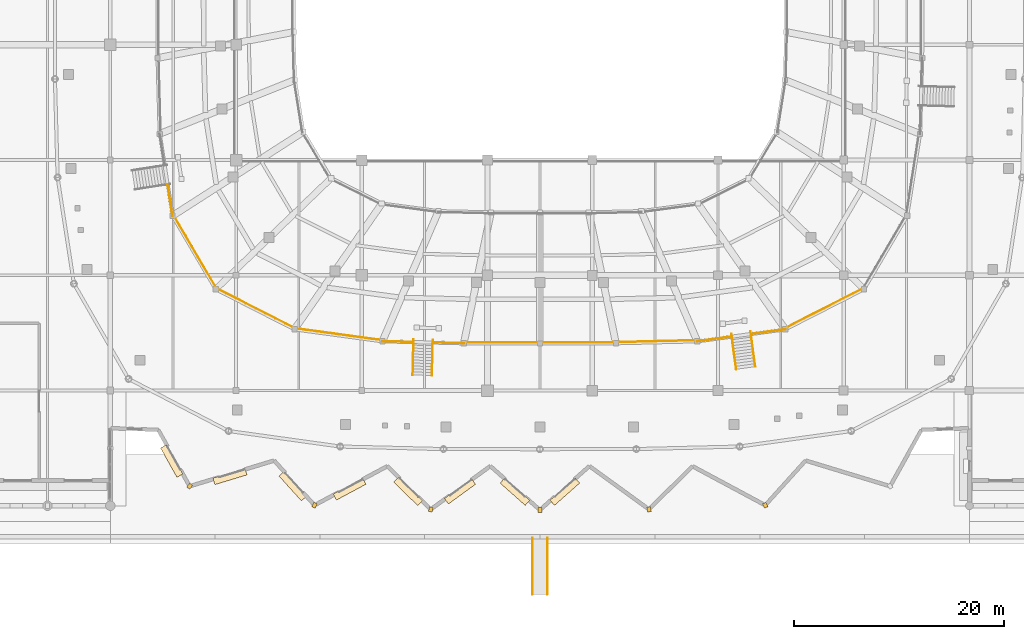
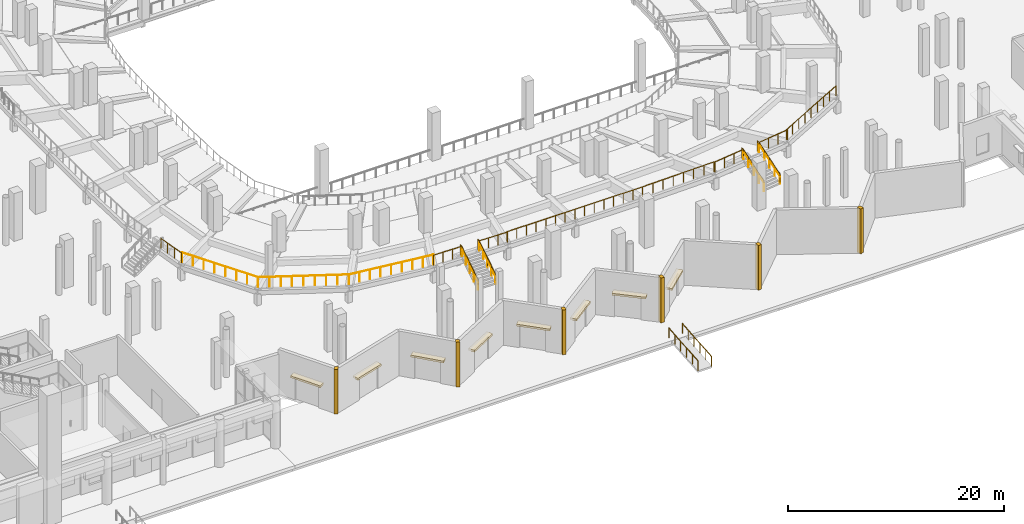
# One storey, part 101 of 120: 22 railings, 14 coverings.
"""IFC4 building model written with IfcOpenShell, lengths in metres."""

from ifc_helpers import new_model, si_unit, direction, frame, origin, origin_2d, place, context, subcontext, project, spatial, rectangle, circle, extrude, material, layer, layer_set, type_object, element, save


model = new_model("IFC4")

# Units and contexts
model_context = context("Model", 3, precision=1e-05, world=origin(), true_north=direction((0.0, 1.0)))
body_context = subcontext(model_context, "Body", "Model", "MODEL_VIEW")
ifc_project = project(units=[si_unit("LENGTHUNIT", "METRE"), si_unit("AREAUNIT", "SQUARE_METRE"), si_unit("VOLUMEUNIT", "CUBIC_METRE"), si_unit("PLANEANGLEUNIT", "RADIAN"), si_unit("MASSUNIT", "GRAM", prefix="KILO")], contexts=[model_context])

# Site, building, storey
site_placement = place(None, origin())
site = spatial("IfcSite", under=ifc_project, at=site_placement, CompositionType="ELEMENT")
building_placement = place(site_placement, origin())
building = spatial("IfcBuilding", under=site, at=building_placement, Name="Luwafu Chhajja Arena", CompositionType="ELEMENT")
storey_placement = place(building_placement, origin())
storey = spatial("IfcBuildingStorey", under=building, at=storey_placement, Name="L00", CompositionType="ELEMENT", Elevation=0.0)

# Railings
ifc_material_1 = material(Name="Stainless steel balustrade", Category="steel")
railing_type_1 = type_object("IfcRailingType", Name="Atrium Void Glazed Balustrade 1150", PredefinedType="BALUSTRADE", material=ifc_material_1)
railing_1_placement = place(storey_placement, frame((63.93798828125, 27.677001953125, 1.85009765625)))
element("IfcRailing", 1, at=railing_1_placement, inside=storey, type_object=railing_type_1, Name="L00 Vomitory VM-05 Wing Guard L", PredefinedType="BALUSTRADE", context=body_context, shape_type="SweptSolid", body=[
    extrude(circle(Radius=0.02392578125, at=origin_2d()), frame((0.0, 0.0, 1.1259765625), z_axis=(-0.154996984564, 0.987914943088, 0.0), x_axis=(-0.987914943088, -0.154996984564, 0.0)), (0.0, 0.0, 1.0), 3.038330078125),
    extrude(circle(Radius=0.02099609375, at=origin_2d()), origin(), (0.0, 0.0, 1.0), 1.101806640625),
    extrude(circle(Radius=0.02099609375, at=origin_2d()), frame((-0.156982421875, 1.00048828125, 0.0)), (0.0, 0.0, 1.0), 1.101806640625),
    extrude(circle(Radius=0.02099609375, at=origin_2d()), frame((-0.31396484375, 2.001220703125, 0.0)), (0.0, 0.0, 1.0), 1.101806640625),
    extrude(circle(Radius=0.02099609375, at=origin_2d()), frame((-0.470947265625, 3.001708984375, 0.0)), (0.0, 0.0, 1.0), 1.101806640625),
])
railing_2_placement = place(storey_placement, frame((88.69921875, 12.436767578125, 0.0)))
element("IfcRailing", 2, at=railing_2_placement, inside=storey, type_object=railing_type_1, Name="L00 Vomitory VM-06 Guard L", PredefinedType="BALUSTRADE", context=body_context, shape_type="SweptSolid", body=[
    extrude(circle(Radius=0.02392578125, at=origin_2d()), frame((0.0, 0.0, 1.1259765625), z_axis=(0.020742164127, 0.861669643947, 0.507045547587), x_axis=(-0.999710393799, 0.024065089461, 0.0)), (0.0, 0.0, 1.0), 3.648681640625),
    extrude(circle(Radius=0.02392578125, at=origin_2d()), frame((0.07568359375, 3.14404296875, 2.97607421875), z_axis=(0.024406789793, 0.999702109937, 0.0), x_axis=(-0.999702109937, 0.024406789793, 0.0)), (0.0, 0.0, 1.0), 0.25),
    extrude(circle(Radius=0.02099609375, at=origin_2d()), origin(), (0.0, 0.0, 1.0), 1.101806640625),
    extrude(circle(Radius=0.02099609375, at=origin_2d()), frame((0.01904296875, 0.7861328125, 0.46240234375)), (0.0, 0.0, 1.0), 1.101806640625),
    extrude(circle(Radius=0.02099609375, at=origin_2d()), frame((0.037841796875, 1.572021484375, 0.925048828125)), (0.0, 0.0, 1.0), 1.101806640625),
    extrude(circle(Radius=0.02099609375, at=origin_2d()), frame((0.056640625, 2.35791015625, 1.3876953125)), (0.0, 0.0, 1.0), 1.101806640625),
    extrude(circle(Radius=0.02099609375, at=origin_2d()), frame((0.07568359375, 3.14404296875, 1.85009765625)), (0.0, 0.0, 1.0), 1.101806640625),
    extrude(circle(Radius=0.02099609375, at=origin_2d()), frame((0.081787109375, 3.39404296875, 1.85009765625)), (0.0, 0.0, 1.0), 1.101806640625),
])
railing_3_placement = place(storey_placement, frame((86.859619140625, 12.481201171875, 0.0)))
element("IfcRailing", 3, at=railing_3_placement, inside=storey, type_object=railing_type_1, Name="L00 Vomitory VM-06 Guard R", PredefinedType="BALUSTRADE", context=body_context, shape_type="SweptSolid", body=[
    extrude(circle(Radius=0.02392578125, at=origin_2d()), frame((0.0, 0.0, 1.1259765625), z_axis=(0.020809045407, 0.861668446141, 0.507044842744), x_axis=(-0.999708523176, 0.024142673607, 0.0)), (0.0, 0.0, 1.0), 3.648681640625),
    extrude(circle(Radius=0.02392578125, at=origin_2d()), frame((0.075927734375, 3.14404296875, 2.97607421875), z_axis=(0.023453957023, 0.999724918115, 0.0), x_axis=(-0.999724918115, 0.023453957023, 0.0)), (0.0, 0.0, 1.0), 0.249755859375),
    extrude(circle(Radius=0.02099609375, at=origin_2d()), origin(), (0.0, 0.0, 1.0), 1.101806640625),
    extrude(circle(Radius=0.02099609375, at=origin_2d()), frame((0.01904296875, 0.7861328125, 0.46240234375)), (0.0, 0.0, 1.0), 1.101806640625),
    extrude(circle(Radius=0.02099609375, at=origin_2d()), frame((0.0380859375, 1.572021484375, 0.925048828125)), (0.0, 0.0, 1.0), 1.101806640625),
    extrude(circle(Radius=0.02099609375, at=origin_2d()), frame((0.056884765625, 2.35791015625, 1.3876953125)), (0.0, 0.0, 1.0), 1.101806640625),
    extrude(circle(Radius=0.02099609375, at=origin_2d()), frame((0.075927734375, 3.14404296875, 1.85009765625)), (0.0, 0.0, 1.0), 1.101806640625),
    extrude(circle(Radius=0.02099609375, at=origin_2d()), frame((0.081787109375, 3.393798828125, 1.85009765625)), (0.0, 0.0, 1.0), 1.101806640625),
])
for number, where, name in (
    (4, (91.74169921875, 15.50927734375, 1.85009765625), "L00 Vomitory VM-06 Wing Guard L"),
    (5, (86.935546875, 15.625244140625, 1.85009765625), "L00 Vomitory VM-06 Wing Guard R"),
):
    element("IfcRailing", number, at=place(storey_placement, frame(where)), inside=storey, type_object=railing_type_1, Name=name, PredefinedType="BALUSTRADE", context=body_context, shape_type="SweptSolid", body=[
        extrude(circle(Radius=0.02392578125, at=origin_2d()), frame((0.0, 0.0, 1.1259765625), z_axis=(-0.999709450311, 0.024104251888, 0.0), x_axis=(-0.024104251888, -0.999709450311, 0.0)), (0.0, 0.0, 1.0), 2.9677734375),
        extrude(circle(Radius=0.02099609375, at=origin_2d()), origin(), (0.0, 0.0, 1.0), 1.101806640625),
        extrude(circle(Radius=0.02099609375, at=origin_2d()), frame((-0.989013671875, 0.02392578125, 0.0)), (0.0, 0.0, 1.0), 1.101806640625),
        extrude(circle(Radius=0.02099609375, at=origin_2d()), frame((-1.977783203125, 0.047607421875, 0.0)), (0.0, 0.0, 1.0), 1.101806640625),
        extrude(circle(Radius=0.02099609375, at=origin_2d()), frame((-2.966796875, 0.071533203125, 0.0)), (0.0, 0.0, 1.0), 1.101806640625),
    ])
railing_4_placement = place(storey_placement, frame((119.565185546875, 13.27587890625, 0.0)))
element("IfcRailing", 6, at=railing_4_placement, inside=storey, type_object=railing_type_1, Name="L00 Vomitory VM-07 Guard L", PredefinedType="BALUSTRADE", context=body_context, shape_type="SweptSolid", body=[
    extrude(circle(Radius=0.02392578125, at=origin_2d()), frame((0.0, 0.0, 1.1259765625), z_axis=(-0.116223580607, 0.854045931418, 0.507047952702), x_axis=(-0.990866977807, -0.134842991261, 0.0)), (0.0, 0.0, 1.0), 3.648681640625),
    extrude(circle(Radius=0.02392578125, at=origin_2d()), frame((-0.424072265625, 3.1162109375, 2.97607421875), z_axis=(-0.13472111401, 0.990883555944, 0.0), x_axis=(-0.990883555944, -0.13472111401, 0.0)), (0.0, 0.0, 1.0), 0.25),
    extrude(circle(Radius=0.02099609375, at=origin_2d()), origin(), (0.0, 0.0, 1.0), 1.101806640625),
    extrude(circle(Radius=0.02099609375, at=origin_2d()), frame((-0.10595703125, 0.779052734375, 0.46240234375)), (0.0, 0.0, 1.0), 1.101806640625),
    extrude(circle(Radius=0.02099609375, at=origin_2d()), frame((-0.2119140625, 1.55810546875, 0.925048828125)), (0.0, 0.0, 1.0), 1.101806640625),
    extrude(circle(Radius=0.02099609375, at=origin_2d()), frame((-0.318115234375, 2.337158203125, 1.3876953125)), (0.0, 0.0, 1.0), 1.101806640625),
    extrude(circle(Radius=0.02099609375, at=origin_2d()), frame((-0.424072265625, 3.1162109375, 1.85009765625)), (0.0, 0.0, 1.0), 1.101806640625),
    extrude(circle(Radius=0.02099609375, at=origin_2d()), frame((-0.457763671875, 3.364013671875, 1.85009765625)), (0.0, 0.0, 1.0), 1.101806640625),
])
railing_5_placement = place(storey_placement, frame((117.741943359375, 13.027587890625, 0.0)))
element("IfcRailing", 7, at=railing_5_placement, inside=storey, type_object=railing_type_1, Name="L00 Vomitory VM-07 Guard R", PredefinedType="BALUSTRADE", context=body_context, shape_type="SweptSolid", body=[
    extrude(circle(Radius=0.02392578125, at=origin_2d()), frame((0.0, 0.0, 1.1259765625), z_axis=(-0.116150935556, 0.85407067533, 0.507022920302), x_axis=(-0.990878756989, -0.134756405964, 0.0)), (0.0, 0.0, 1.0), 3.64892578125),
    extrude(circle(Radius=0.02392578125, at=origin_2d()), frame((-0.423828125, 3.116455078125, 2.97607421875), z_axis=(-0.135679445915, 0.990752788518, 0.0), x_axis=(-0.990752788518, -0.135679445915, 0.0)), (0.0, 0.0, 1.0), 0.25),
    extrude(circle(Radius=0.02099609375, at=origin_2d()), origin(), (0.0, 0.0, 1.0), 1.101806640625),
    extrude(circle(Radius=0.02099609375, at=origin_2d()), frame((-0.10595703125, 0.779052734375, 0.46240234375)), (0.0, 0.0, 1.0), 1.101806640625),
    extrude(circle(Radius=0.02099609375, at=origin_2d()), frame((-0.2119140625, 1.55810546875, 0.925048828125)), (0.0, 0.0, 1.0), 1.101806640625),
    extrude(circle(Radius=0.02099609375, at=origin_2d()), frame((-0.31787109375, 2.33740234375, 1.3876953125)), (0.0, 0.0, 1.0), 1.101806640625),
    extrude(circle(Radius=0.02099609375, at=origin_2d()), frame((-0.423828125, 3.116455078125, 1.85009765625)), (0.0, 0.0, 1.0), 1.101806640625),
    extrude(circle(Radius=0.02099609375, at=origin_2d()), frame((-0.457763671875, 3.3642578125, 1.85009765625)), (0.0, 0.0, 1.0), 1.101806640625),
])
railing_6_placement = place(storey_placement, frame((122.427734375, 16.83935546875, 1.85009765625)))
element("IfcRailing", 8, at=railing_6_placement, inside=storey, type_object=railing_type_1, Name="L00 Vomitory VM-07 Wing Guard L", PredefinedType="BALUSTRADE", context=body_context, shape_type="SweptSolid", body=[
    extrude(circle(Radius=0.02392578125, at=origin_2d()), frame((0.0, 0.0, 1.1259765625), z_axis=(-0.990866859152, -0.134843863168, 0.0), x_axis=(0.134843863168, -0.990866859152, 0.0)), (0.0, 0.0, 1.0), 3.31689453125),
    extrude(circle(Radius=0.02099609375, at=origin_2d()), origin(), (0.0, 0.0, 1.0), 1.101806640625),
    extrude(circle(Radius=0.02099609375, at=origin_2d()), frame((-1.095458984375, -0.149169921875, 0.0)), (0.0, 0.0, 1.0), 1.101806640625),
    extrude(circle(Radius=0.02099609375, at=origin_2d()), frame((-2.191162109375, -0.298095703125, 0.0)), (0.0, 0.0, 1.0), 1.101806640625),
    extrude(circle(Radius=0.02099609375, at=origin_2d()), frame((-3.28662109375, -0.447265625, 0.0)), (0.0, 0.0, 1.0), 1.101806640625),
])
railing_7_placement = place(storey_placement, frame((117.318115234375, 16.14404296875, 1.85009765625)))
element("IfcRailing", 9, at=railing_7_placement, inside=storey, type_object=railing_type_1, Name="L00 Vomitory VM-07 Wing Guard R", PredefinedType="BALUSTRADE", context=body_context, shape_type="SweptSolid", body=[
    extrude(circle(Radius=0.02392578125, at=origin_2d()), frame((0.0, 0.0, 1.1259765625), z_axis=(-0.990868197351, -0.13483402938, 0.0), x_axis=(0.13483402938, -0.990868197351, 0.0)), (0.0, 0.0, 1.0), 3.317138671875),
    extrude(circle(Radius=0.02099609375, at=origin_2d()), origin(), (0.0, 0.0, 1.0), 1.101806640625),
    extrude(circle(Radius=0.02099609375, at=origin_2d()), frame((-1.095703125, -0.149169921875, 0.0)), (0.0, 0.0, 1.0), 1.101806640625),
    extrude(circle(Radius=0.02099609375, at=origin_2d()), frame((-2.191162109375, -0.298095703125, 0.0)), (0.0, 0.0, 1.0), 1.101806640625),
    extrude(circle(Radius=0.02099609375, at=origin_2d()), frame((-3.286865234375, -0.447265625, 0.0)), (0.0, 0.0, 1.0), 1.101806640625),
])

# Coverings
ifc_material_2 = material(Name="Red laterite sandstone cladding", Category="masonry")
ifc_layer = layer(ifc_material_2, 0.074951171875, Name="Red laterite sandstone cladding")
ifc_layer_set = layer_set([ifc_layer], Name="Red laterite sandstone cladding")
covering_type = type_object("IfcCoveringType", Name="Dressed Red-Laterite Sandstone Cladding", PredefinedType="CLADDING", material=ifc_layer_set)
for number, where, z_axis, x_axis, name in (
    (10, (65.572509765625, 1.864013671875, 0.0), (0.0, 0.0, 1.0), (-0.574411104334, -0.818566969293, 0.0), "L00 Pleated Bowl Sandstone Ridge Fin 22"),
    (11, (77.489013671875, 0.051025390625, 0.0), (0.0, 0.0, 1.0), (-0.398902881432, -0.916993179465, 0.0), "L00 Pleated Bowl Sandstone Ridge Fin 23"),
    (12, (88.587890625, -0.3427734375, 0.0), (0.0, 0.0, 1.0), (-0.20448508974, -0.9788696788, 0.0), "L00 Pleated Bowl Sandstone Ridge Fin 24"),
    (13, (99.0, -0.39990234375, 0.0), (0.0, 0.0, 1.0), (0.0, -1.0, 0.0), "L00 Pleated Bowl Sandstone Ridge Fin 25"),
    (14, (109.412109375, -0.3427734375, 0.0), (0.0, 0.0, 1.0), (0.20448508974, -0.9788696788, 0.0), "L00 Pleated Bowl Sandstone Ridge Fin 26"),
    (15, (120.510986328125, 0.051025390625, 0.0), (0.0, 0.0, 1.0), (0.398902881432, -0.916993179465, 0.0), "L00 Pleated Bowl Sandstone Ridge Fin 27"),
):
    element("IfcCovering", number, at=place(storey_placement, frame(where, z_axis=z_axis, x_axis=x_axis)), inside=storey, type_object=covering_type, Name=name, PredefinedType="CLADDING", context=body_context, shape_type="SweptSolid", body=[
        extrude(rectangle(XDim=0.4599609375, YDim=0.360107421875, at=origin_2d()), origin(), (0.0, 0.0, 1.0), 5.054931640625),
    ])
for number, where, z_axis, x_axis, name in (
    (16, (63.858642578125, 4.27392578125, 2.7099609375), (0.0, 0.0, 1.0), (0.487313131845, -0.873227296603, 0.0), "L00 Inward-Fold Entrance Portal Hood E-01"),
    (17, (69.4169921875, 2.79443359375, 2.7099609375), (0.0, 0.0, 1.0), (0.9567402425, 0.290943479702, 0.0), "L00 Inward-Fold Entrance Portal Hood E-02"),
    (18, (75.4072265625, 1.869873046875, 2.7099609375), (0.0, 0.0, 1.0), (0.670358269136, -0.742037594062, 0.0), "L00 Inward-Fold Entrance Portal Hood E-03"),
    (19, (80.837158203125, 1.58642578125, 2.7099609375), (0.0, 0.0, 1.0), (0.881200624672, 0.472742487067, 0.0), "L00 Inward-Fold Entrance Portal Hood E-04"),
    (20, (86.422119140625, 1.37841796875, 2.7099609375), (0.0, 0.0, 1.0), (0.710108737602, -0.70409202579, 0.0), "L00 Inward-Fold Entrance Portal Hood E-05"),
    (21, (91.375, 1.377685546875, 2.7099609375), (0.0, 0.0, 1.0), (0.808838836348, 0.588030387663, 0.0), "L00 Inward-Fold Entrance Portal Hood E-06"),
    (22, (96.61865234375, 1.34521484375, 2.7099609375), (0.0, 0.0, 1.0), (0.748442472682, -0.663199717344, 0.0), "L00 Inward-Fold Entrance Portal Hood E-07"),
    (23, (101.38134765625, 1.34521484375, 2.7099609375), (0.0, 0.0, 1.0), (0.748442472682, 0.663199717344, 0.0), "L00 Inward-Fold Entrance Portal Hood E-08"),
):
    element("IfcCovering", number, at=place(storey_placement, frame(where, z_axis=z_axis, x_axis=x_axis)), inside=storey, type_object=covering_type, Name=name, PredefinedType="CLADDING", context=body_context, shape_type="SweptSolid", body=[
        extrude(rectangle(XDim=3.199951171875, YDim=0.64990234375, at=origin_2d()), origin(), (0.0, 0.0, 1.0), 0.219970703125),
    ])

# Railings
railing_type_2 = type_object("IfcRailingType", Name="Seating Bowl Sightline Barrier 1100", PredefinedType="BALUSTRADE", material=ifc_material_1)
railing_8_placement = place(storey_placement, frame((64.033935546875, 27.7412109375, 1.85009765625)))
element("IfcRailing", 24, at=railing_8_placement, inside=storey, type_object=railing_type_2, Name="L00 Lower Tier Rear Barrier 0116", PredefinedType="BALUSTRADE", context=body_context, shape_type="SweptSolid", body=[
    extrude(circle(Radius=0.02392578125, at=origin_2d()), frame((0.0, 0.0, 1.09619140625), z_axis=(0.506615704922, -0.862171982569, 0.0), x_axis=(0.862171982569, 0.506615704922, 0.0)), (0.0, 0.0, 1.0), 8.100341796875),
    extrude(circle(Radius=0.02099609375, at=origin_2d()), origin(), (0.0, 0.0, 1.0), 1.072021484375),
    extrude(circle(Radius=0.02099609375, at=origin_2d()), frame((0.586181640625, -0.997802734375, 0.0)), (0.0, 0.0, 1.0), 1.072021484375),
    extrude(circle(Radius=0.02099609375, at=origin_2d()), frame((1.172607421875, -1.995361328125, 0.0)), (0.0, 0.0, 1.0), 1.072021484375),
    extrude(circle(Radius=0.02099609375, at=origin_2d()), frame((1.7587890625, -2.9931640625, 0.0)), (0.0, 0.0, 1.0), 1.072021484375),
    extrude(circle(Radius=0.02099609375, at=origin_2d()), frame((2.344970703125, -3.99072265625, 0.0)), (0.0, 0.0, 1.0), 1.072021484375),
    extrude(circle(Radius=0.02099609375, at=origin_2d()), frame((2.93115234375, -4.988525390625, 0.0)), (0.0, 0.0, 1.0), 1.072021484375),
    extrude(circle(Radius=0.02099609375, at=origin_2d()), frame((3.517578125, -5.986083984375, 0.0)), (0.0, 0.0, 1.0), 1.072021484375),
    extrude(circle(Radius=0.02099609375, at=origin_2d()), frame((4.103759765625, -6.98388671875, 0.0)), (0.0, 0.0, 1.0), 1.072021484375),
])
railing_9_placement = place(storey_placement, frame((68.1376953125, 20.75732421875, 1.85009765625)))
element("IfcRailing", 25, at=railing_9_placement, inside=storey, type_object=railing_type_2, Name="L00 Lower Tier Rear Barrier 0120", PredefinedType="BALUSTRADE", context=body_context, shape_type="SweptSolid", body=[
    extrude(circle(Radius=0.02392578125, at=origin_2d()), frame((0.0, 0.0, 1.09619140625), z_axis=(0.890960455161, -0.454080903959, 0.0), x_axis=(0.454080903959, 0.890960455161, 0.0)), (0.0, 0.0, 1.0), 8.41650390625),
    extrude(circle(Radius=0.02099609375, at=origin_2d()), origin(), (0.0, 0.0, 1.0), 1.072021484375),
    extrude(circle(Radius=0.02099609375, at=origin_2d()), frame((0.937255859375, -0.477783203125, 0.0)), (0.0, 0.0, 1.0), 1.072021484375),
    extrude(circle(Radius=0.02099609375, at=origin_2d()), frame((1.874755859375, -0.95556640625, 0.0)), (0.0, 0.0, 1.0), 1.072021484375),
    extrude(circle(Radius=0.02099609375, at=origin_2d()), frame((2.81201171875, -1.43310546875, 0.0)), (0.0, 0.0, 1.0), 1.072021484375),
    extrude(circle(Radius=0.02099609375, at=origin_2d()), frame((3.74951171875, -1.910888671875, 0.0)), (0.0, 0.0, 1.0), 1.072021484375),
    extrude(circle(Radius=0.02099609375, at=origin_2d()), frame((4.686767578125, -2.388671875, 0.0)), (0.0, 0.0, 1.0), 1.072021484375),
    extrude(circle(Radius=0.02099609375, at=origin_2d()), frame((5.6240234375, -2.8662109375, 0.0)), (0.0, 0.0, 1.0), 1.072021484375),
    extrude(circle(Radius=0.02099609375, at=origin_2d()), frame((6.5615234375, -3.343994140625, 0.0)), (0.0, 0.0, 1.0), 1.072021484375),
    extrude(circle(Radius=0.02099609375, at=origin_2d()), frame((7.498779296875, -3.82177734375, 0.0)), (0.0, 0.0, 1.0), 1.072021484375),
])
railing_10_placement = place(storey_placement, frame((75.636474609375, 16.935546875, 1.85009765625)))
element("IfcRailing", 26, at=railing_10_placement, inside=storey, type_object=railing_type_2, Name="L00 Lower Tier Rear Barrier 0124", PredefinedType="BALUSTRADE", context=body_context, shape_type="SweptSolid", body=[
    extrude(circle(Radius=0.02392578125, at=origin_2d()), frame((0.0, 0.0, 1.09619140625), z_axis=(0.990868803702, -0.134829573353, 0.0), x_axis=(0.134829573353, 0.990868803702, 0.0)), (0.0, 0.0, 1.0), 8.45068359375),
    extrude(circle(Radius=0.02099609375, at=origin_2d()), origin(), (0.0, 0.0, 1.0), 1.072021484375),
    extrude(circle(Radius=0.02099609375, at=origin_2d()), frame((1.046630859375, -0.142333984375, 0.0)), (0.0, 0.0, 1.0), 1.072021484375),
    extrude(circle(Radius=0.02099609375, at=origin_2d()), frame((2.09326171875, -0.284912109375, 0.0)), (0.0, 0.0, 1.0), 1.072021484375),
    extrude(circle(Radius=0.02099609375, at=origin_2d()), frame((3.14013671875, -0.42724609375, 0.0)), (0.0, 0.0, 1.0), 1.072021484375),
    extrude(circle(Radius=0.02099609375, at=origin_2d()), frame((4.186767578125, -0.56982421875, 0.0)), (0.0, 0.0, 1.0), 1.072021484375),
    extrude(circle(Radius=0.02099609375, at=origin_2d()), frame((5.2333984375, -0.712158203125, 0.0)), (0.0, 0.0, 1.0), 1.072021484375),
    extrude(circle(Radius=0.02099609375, at=origin_2d()), frame((6.2802734375, -0.8544921875, 0.0)), (0.0, 0.0, 1.0), 1.072021484375),
    extrude(circle(Radius=0.02099609375, at=origin_2d()), frame((7.326904296875, -0.9970703125, 0.0)), (0.0, 0.0, 1.0), 1.072021484375),
    extrude(circle(Radius=0.02099609375, at=origin_2d()), frame((8.37353515625, -1.139404296875, 0.0)), (0.0, 0.0, 1.0), 1.072021484375),
])
railing_11_placement = place(storey_placement, frame((91.761474609375, 15.609130859375, 1.85009765625)))
element("IfcRailing", 27, at=railing_11_placement, inside=storey, type_object=railing_type_2, Name="L00 Lower Tier Rear Barrier 0130", PredefinedType="BALUSTRADE", context=body_context, shape_type="SweptSolid", body=[
    extrude(circle(Radius=0.02392578125, at=origin_2d()), frame((0.0, 0.0, 1.09619140625), z_axis=(0.999999221331, -0.001247933191, 0.0), x_axis=(0.001247933191, 0.999999221331, 0.0)), (0.0, 0.0, 1.0), 7.238525390625),
    extrude(circle(Radius=0.02099609375, at=origin_2d()), origin(), (0.0, 0.0, 1.0), 1.072021484375),
    extrude(circle(Radius=0.02099609375, at=origin_2d()), frame((1.0341796875, -0.001220703125, 0.0)), (0.0, 0.0, 1.0), 1.072021484375),
    extrude(circle(Radius=0.02099609375, at=origin_2d()), frame((2.068115234375, -0.002685546875, 0.0)), (0.0, 0.0, 1.0), 1.072021484375),
    extrude(circle(Radius=0.02099609375, at=origin_2d()), frame((3.102294921875, -0.00390625, 0.0)), (0.0, 0.0, 1.0), 1.072021484375),
    extrude(circle(Radius=0.02099609375, at=origin_2d()), frame((4.13623046875, -0.005126953125, 0.0)), (0.0, 0.0, 1.0), 1.072021484375),
    extrude(circle(Radius=0.02099609375, at=origin_2d()), frame((5.17041015625, -0.00634765625, 0.0)), (0.0, 0.0, 1.0), 1.072021484375),
    extrude(circle(Radius=0.02099609375, at=origin_2d()), frame((6.204345703125, -0.0078125, 0.0)), (0.0, 0.0, 1.0), 1.072021484375),
    extrude(circle(Radius=0.02099609375, at=origin_2d()), frame((7.238525390625, -0.009033203125, 0.0)), (0.0, 0.0, 1.0), 1.072021484375),
])
railing_12_placement = place(storey_placement, frame((99.0, 15.60009765625, 1.85009765625)))
element("IfcRailing", 28, at=railing_12_placement, inside=storey, type_object=railing_type_2, Name="L00 Lower Tier Rear Barrier 0134", PredefinedType="BALUSTRADE", context=body_context, shape_type="SweptSolid", body=[
    extrude(circle(Radius=0.02392578125, at=origin_2d()), frame((0.0, 0.0, 1.09619140625), z_axis=(0.999999221331, 0.001247933191, 0.0), x_axis=(-0.001247933191, 0.999999221331, 0.0)), (0.0, 0.0, 1.0), 7.238525390625),
    extrude(circle(Radius=0.02099609375, at=origin_2d()), origin(), (0.0, 0.0, 1.0), 1.072021484375),
    extrude(circle(Radius=0.02099609375, at=origin_2d()), frame((1.0341796875, 0.001220703125, 0.0)), (0.0, 0.0, 1.0), 1.072021484375),
    extrude(circle(Radius=0.02099609375, at=origin_2d()), frame((2.068115234375, 0.002685546875, 0.0)), (0.0, 0.0, 1.0), 1.072021484375),
    extrude(circle(Radius=0.02099609375, at=origin_2d()), frame((3.102294921875, 0.00390625, 0.0)), (0.0, 0.0, 1.0), 1.072021484375),
    extrude(circle(Radius=0.02099609375, at=origin_2d()), frame((4.13623046875, 0.005126953125, 0.0)), (0.0, 0.0, 1.0), 1.072021484375),
    extrude(circle(Radius=0.02099609375, at=origin_2d()), frame((5.17041015625, 0.00634765625, 0.0)), (0.0, 0.0, 1.0), 1.072021484375),
    extrude(circle(Radius=0.02099609375, at=origin_2d()), frame((6.204345703125, 0.0078125, 0.0)), (0.0, 0.0, 1.0), 1.072021484375),
    extrude(circle(Radius=0.02099609375, at=origin_2d()), frame((7.238525390625, 0.009033203125, 0.0)), (0.0, 0.0, 1.0), 1.072021484375),
])
railing_13_placement = place(storey_placement, frame((106.238525390625, 15.609130859375, 1.85009765625)))
element("IfcRailing", 29, at=railing_13_placement, inside=storey, type_object=railing_type_2, Name="L00 Lower Tier Rear Barrier 0138", PredefinedType="BALUSTRADE", context=body_context, shape_type="SweptSolid", body=[
    extrude(circle(Radius=0.02392578125, at=origin_2d()), frame((0.0, 0.0, 1.09619140625), z_axis=(0.999709095429, 0.024118965893, 0.0), x_axis=(-0.024118965893, 0.999709095429, 0.0)), (0.0, 0.0, 1.0), 7.753662109375),
    extrude(circle(Radius=0.02099609375, at=origin_2d()), origin(), (0.0, 0.0, 1.0), 1.072021484375),
    extrude(circle(Radius=0.02099609375, at=origin_2d()), frame((1.107421875, 0.026611328125, 0.0)), (0.0, 0.0, 1.0), 1.072021484375),
    extrude(circle(Radius=0.02099609375, at=origin_2d()), frame((2.214599609375, 0.053466796875, 0.0)), (0.0, 0.0, 1.0), 1.072021484375),
    extrude(circle(Radius=0.02099609375, at=origin_2d()), frame((3.322021484375, 0.080078125, 0.0)), (0.0, 0.0, 1.0), 1.072021484375),
    extrude(circle(Radius=0.02099609375, at=origin_2d()), frame((4.429443359375, 0.10693359375, 0.0)), (0.0, 0.0, 1.0), 1.072021484375),
    extrude(circle(Radius=0.02099609375, at=origin_2d()), frame((5.536865234375, 0.133544921875, 0.0)), (0.0, 0.0, 1.0), 1.072021484375),
    extrude(circle(Radius=0.02099609375, at=origin_2d()), frame((6.64404296875, 0.160400390625, 0.0)), (0.0, 0.0, 1.0), 1.072021484375),
    extrude(circle(Radius=0.02099609375, at=origin_2d()), frame((7.75146484375, 0.18701171875, 0.0)), (0.0, 0.0, 1.0), 1.072021484375),
])
railing_14_placement = place(storey_placement, frame((122.363525390625, 16.935546875, 1.85009765625)))
element("IfcRailing", 30, at=railing_14_placement, inside=storey, type_object=railing_type_2, Name="L00 Lower Tier Rear Barrier 0144", PredefinedType="BALUSTRADE", context=body_context, shape_type="SweptSolid", body=[
    extrude(circle(Radius=0.02392578125, at=origin_2d()), frame((0.0, 0.0, 1.09619140625), z_axis=(0.890960455161, 0.454080903959, 0.0), x_axis=(-0.454080903959, 0.890960455161, 0.0)), (0.0, 0.0, 1.0), 8.41650390625),
    extrude(circle(Radius=0.02099609375, at=origin_2d()), origin(), (0.0, 0.0, 1.0), 1.072021484375),
    extrude(circle(Radius=0.02099609375, at=origin_2d()), frame((0.937255859375, 0.477783203125, 0.0)), (0.0, 0.0, 1.0), 1.072021484375),
    extrude(circle(Radius=0.02099609375, at=origin_2d()), frame((1.874755859375, 0.95556640625, 0.0)), (0.0, 0.0, 1.0), 1.072021484375),
    extrude(circle(Radius=0.02099609375, at=origin_2d()), frame((2.81201171875, 1.43310546875, 0.0)), (0.0, 0.0, 1.0), 1.072021484375),
    extrude(circle(Radius=0.02099609375, at=origin_2d()), frame((3.74951171875, 1.910888671875, 0.0)), (0.0, 0.0, 1.0), 1.072021484375),
    extrude(circle(Radius=0.02099609375, at=origin_2d()), frame((4.686767578125, 2.388671875, 0.0)), (0.0, 0.0, 1.0), 1.072021484375),
    extrude(circle(Radius=0.02099609375, at=origin_2d()), frame((5.6240234375, 2.8662109375, 0.0)), (0.0, 0.0, 1.0), 1.072021484375),
    extrude(circle(Radius=0.02099609375, at=origin_2d()), frame((6.5615234375, 3.343994140625, 0.0)), (0.0, 0.0, 1.0), 1.072021484375),
    extrude(circle(Radius=0.02099609375, at=origin_2d()), frame((7.498779296875, 3.82177734375, 0.0)), (0.0, 0.0, 1.0), 1.072021484375),
])
ifc_material_3 = material(Name="Stainless steel handrail", Category="steel")
railing_type_3 = type_object("IfcRailingType", Name="Stair Pitch Wall Handrail 920", PredefinedType="HANDRAIL", material=ifc_material_3)
railing_15_placement = place(storey_placement, frame((88.69921875, 12.436767578125, 0.0)))
element("IfcRailing", 31, at=railing_15_placement, inside=storey, type_object=railing_type_3, Name="L00 Vomitory VM-06 Handrail L", PredefinedType="HANDRAIL", context=body_context, shape_type="SweptSolid", body=[
    extrude(circle(Radius=0.02392578125, at=origin_2d()), frame((0.0, 0.0, 0.89599609375), z_axis=(0.020742164127, 0.861669643947, 0.507045547587), x_axis=(-0.999710393799, 0.024065089461, 0.0)), (0.0, 0.0, 1.0), 3.648681640625),
    extrude(circle(Radius=0.02099609375, at=origin_2d()), origin(), (0.0, 0.0, 1.0), 0.871826171875),
    extrude(circle(Radius=0.02099609375, at=origin_2d()), frame((0.01904296875, 0.7861328125, 0.46240234375)), (0.0, 0.0, 1.0), 0.871826171875),
    extrude(circle(Radius=0.02099609375, at=origin_2d()), frame((0.037841796875, 1.572021484375, 0.925048828125)), (0.0, 0.0, 1.0), 0.871826171875),
    extrude(circle(Radius=0.02099609375, at=origin_2d()), frame((0.056640625, 2.35791015625, 1.3876953125)), (0.0, 0.0, 1.0), 0.871826171875),
    extrude(circle(Radius=0.02099609375, at=origin_2d()), frame((0.07568359375, 3.14404296875, 1.85009765625)), (0.0, 0.0, 1.0), 0.871826171875),
])
railing_16_placement = place(storey_placement, frame((86.859619140625, 12.481201171875, 0.0)))
element("IfcRailing", 32, at=railing_16_placement, inside=storey, type_object=railing_type_3, Name="L00 Vomitory VM-06 Handrail R", PredefinedType="HANDRAIL", context=body_context, shape_type="SweptSolid", body=[
    extrude(circle(Radius=0.02392578125, at=origin_2d()), frame((0.0, 0.0, 0.89599609375), z_axis=(0.020809045407, 0.861668446141, 0.507044842744), x_axis=(-0.999708523176, 0.024142673607, 0.0)), (0.0, 0.0, 1.0), 3.648681640625),
    extrude(circle(Radius=0.02099609375, at=origin_2d()), origin(), (0.0, 0.0, 1.0), 0.871826171875),
    extrude(circle(Radius=0.02099609375, at=origin_2d()), frame((0.01904296875, 0.7861328125, 0.46240234375)), (0.0, 0.0, 1.0), 0.871826171875),
    extrude(circle(Radius=0.02099609375, at=origin_2d()), frame((0.0380859375, 1.572021484375, 0.925048828125)), (0.0, 0.0, 1.0), 0.871826171875),
    extrude(circle(Radius=0.02099609375, at=origin_2d()), frame((0.056884765625, 2.35791015625, 1.3876953125)), (0.0, 0.0, 1.0), 0.871826171875),
    extrude(circle(Radius=0.02099609375, at=origin_2d()), frame((0.075927734375, 3.14404296875, 1.85009765625)), (0.0, 0.0, 1.0), 0.871826171875),
])
railing_17_placement = place(storey_placement, frame((119.565185546875, 13.27587890625, 0.0)))
element("IfcRailing", 33, at=railing_17_placement, inside=storey, type_object=railing_type_3, Name="L00 Vomitory VM-07 Handrail L", PredefinedType="HANDRAIL", context=body_context, shape_type="SweptSolid", body=[
    extrude(circle(Radius=0.02392578125, at=origin_2d()), frame((0.0, 0.0, 0.89599609375), z_axis=(-0.116223580607, 0.854045931418, 0.507047952702), x_axis=(-0.990866977807, -0.134842991261, 0.0)), (0.0, 0.0, 1.0), 3.648681640625),
    extrude(circle(Radius=0.02099609375, at=origin_2d()), origin(), (0.0, 0.0, 1.0), 0.871826171875),
    extrude(circle(Radius=0.02099609375, at=origin_2d()), frame((-0.10595703125, 0.779052734375, 0.46240234375)), (0.0, 0.0, 1.0), 0.871826171875),
    extrude(circle(Radius=0.02099609375, at=origin_2d()), frame((-0.2119140625, 1.55810546875, 0.925048828125)), (0.0, 0.0, 1.0), 0.871826171875),
    extrude(circle(Radius=0.02099609375, at=origin_2d()), frame((-0.318115234375, 2.337158203125, 1.3876953125)), (0.0, 0.0, 1.0), 0.871826171875),
    extrude(circle(Radius=0.02099609375, at=origin_2d()), frame((-0.424072265625, 3.1162109375, 1.85009765625)), (0.0, 0.0, 1.0), 0.871826171875),
])
railing_18_placement = place(storey_placement, frame((117.741943359375, 13.027587890625, 0.0)))
element("IfcRailing", 34, at=railing_18_placement, inside=storey, type_object=railing_type_3, Name="L00 Vomitory VM-07 Handrail R", PredefinedType="HANDRAIL", context=body_context, shape_type="SweptSolid", body=[
    extrude(circle(Radius=0.02392578125, at=origin_2d()), frame((0.0, 0.0, 0.89599609375), z_axis=(-0.116150935556, 0.85407067533, 0.507022920302), x_axis=(-0.990878756989, -0.134756405964, 0.0)), (0.0, 0.0, 1.0), 3.64892578125),
    extrude(circle(Radius=0.02099609375, at=origin_2d()), origin(), (0.0, 0.0, 1.0), 0.871826171875),
    extrude(circle(Radius=0.02099609375, at=origin_2d()), frame((-0.10595703125, 0.779052734375, 0.46240234375)), (0.0, 0.0, 1.0), 0.871826171875),
    extrude(circle(Radius=0.02099609375, at=origin_2d()), frame((-0.2119140625, 1.55810546875, 0.925048828125)), (0.0, 0.0, 1.0), 0.871826171875),
    extrude(circle(Radius=0.02099609375, at=origin_2d()), frame((-0.31787109375, 2.33740234375, 1.3876953125)), (0.0, 0.0, 1.0), 0.871826171875),
    extrude(circle(Radius=0.02099609375, at=origin_2d()), frame((-0.423828125, 3.116455078125, 1.85009765625)), (0.0, 0.0, 1.0), 0.871826171875),
])
railing_type_4 = type_object("IfcRailingType", Name="Stair and Terrace Guard Balustrade 1100", PredefinedType="BALUSTRADE", material=ifc_material_1)
for number, where, name in (
    (35, (98.280029296875, -8.449951171875, -0.449951171875), "Ramp RA-02 Guard L"),
    (36, (99.719970703125, -8.449951171875, -0.449951171875), "Ramp RA-02 Guard R"),
):
    element("IfcRailing", number, at=place(storey_placement, frame(where)), inside=storey, type_object=railing_type_4, Name=name, PredefinedType="BALUSTRADE", context=body_context, shape_type="SweptSolid", body=[
        extrude(circle(Radius=0.02392578125, at=origin_2d()), frame((0.0, 0.0, 1.09619140625), z_axis=(0.0, 0.996546379678, 0.083038022323), x_axis=(-1.0, 0.0, 0.0)), (0.0, 0.0, 1.0), 5.418701171875),
        extrude(circle(Radius=0.02099609375, at=origin_2d()), origin(), (0.0, 0.0, 1.0), 1.072021484375),
        extrude(circle(Radius=0.02099609375, at=origin_2d()), frame((0.0, 1.080078125, 0.090087890625)), (0.0, 0.0, 1.0), 1.072021484375),
        extrude(circle(Radius=0.02099609375, at=origin_2d()), frame((0.0, 2.159912109375, 0.179931640625)), (0.0, 0.0, 1.0), 1.072021484375),
        extrude(circle(Radius=0.02099609375, at=origin_2d()), frame((0.0, 3.239990234375, 0.27001953125)), (0.0, 0.0, 1.0), 1.072021484375),
        extrude(circle(Radius=0.02099609375, at=origin_2d()), frame((0.0, 4.31982421875, 0.35986328125)), (0.0, 0.0, 1.0), 1.072021484375),
        extrude(circle(Radius=0.02099609375, at=origin_2d()), frame((0.0, 5.39990234375, 0.449951171875)), (0.0, 0.0, 1.0), 1.072021484375),
    ])

save(model, "model.ifc")
